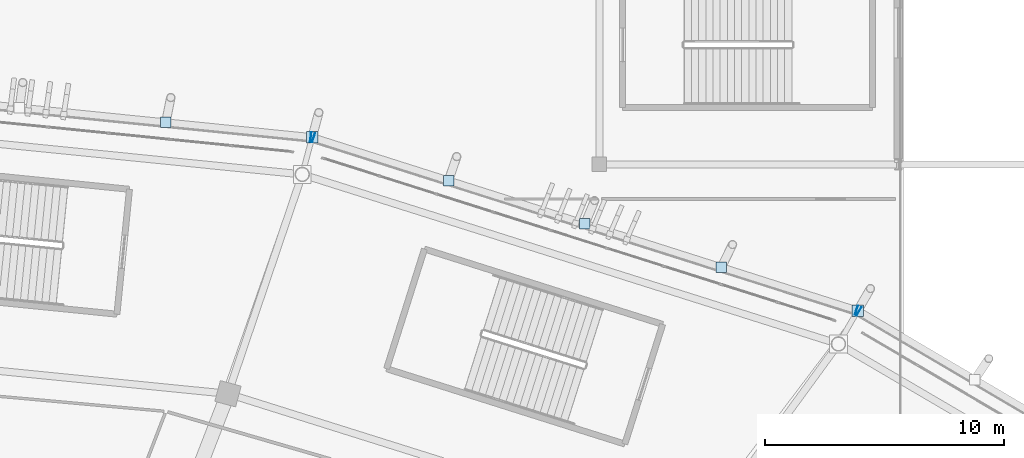
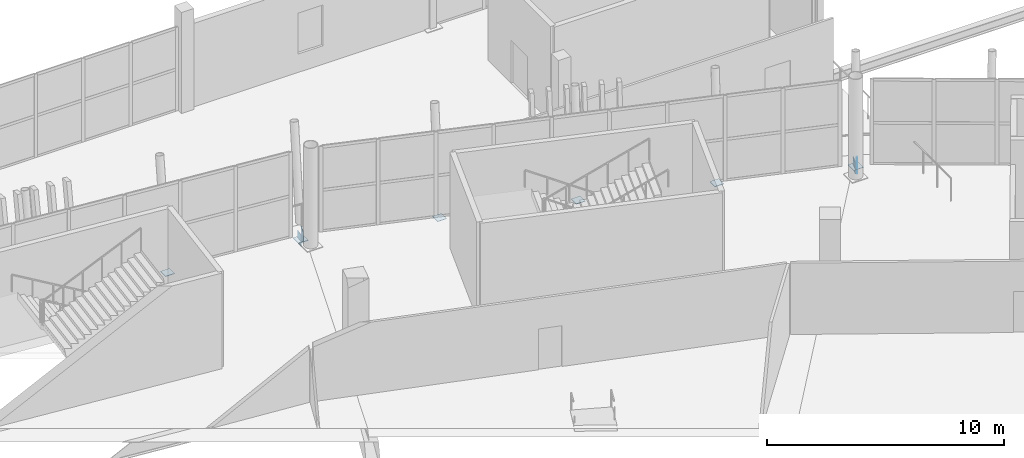
# One storey, part 118 of 178: 10 plates.
"""IFC4 building model written with IfcOpenShell, lengths in metres."""

from ifc_helpers import new_model, si_unit, direction, frame, origin, origin_2d, place, context, subcontext, project, spatial, rectangle, extrude, material, layer, layer_set, type_object, element, save


model = new_model("IFC4")

# Units and contexts
model_context = context("Model", 3, precision=1e-05, world=origin(), true_north=direction((0.0, 1.0)))
body_context = subcontext(model_context, "Body", "Model", "MODEL_VIEW")
ifc_project = project(units=[si_unit("LENGTHUNIT", "METRE"), si_unit("AREAUNIT", "SQUARE_METRE"), si_unit("VOLUMEUNIT", "CUBIC_METRE"), si_unit("PLANEANGLEUNIT", "RADIAN"), si_unit("MASSUNIT", "GRAM", prefix="KILO")], contexts=[model_context])

# Site, building, storey
site_placement = place(None, origin())
site = spatial("IfcSite", under=ifc_project, at=site_placement, CompositionType="ELEMENT")
building_placement = place(site_placement, origin())
building = spatial("IfcBuilding", under=site, at=building_placement, Name="Zlatoyarsky Gate Stadium", CompositionType="ELEMENT")
storey_placement = place(building_placement, frame((0.0, 0.0, 5.39990234375)))
storey = spatial("IfcBuildingStorey", under=building, at=storey_placement, Name="L01", CompositionType="ELEMENT", Elevation=5.39990234375)

# Plates
ifc_material = material(Name="Steel S355", Category="steel")
ifc_layer = layer(ifc_material, 0.02392578125)
ifc_layer_set = layer_set([ifc_layer], Name="Steel S355")
plate_type = type_object("IfcPlateType", Name="STEEL HOLLOW CHORD SPLICE SHEET 24", PredefinedType="SHEET", material=ifc_layer_set)
for number, where, z_axis, x_axis, name in (
    (1, (158.35595703125, 142.850341796875, -0.849853515625), (0.0, 0.0, 1.0), (-0.861685850781, 0.50744210957, 0.0), "Hollow end cap ND-SP1 CAP-L01-SPD-03 B"),
    (2, (158.2470703125, 142.89892578125, -0.849853515625), (0.0, 0.0, 1.0), (-0.953005501853, 0.302952988826, 0.0), "Hollow end cap ND-SP1 CAP-L01-SPD-04 A"),
    (3, (135.543701171875, 150.1162109375, -0.849853515625), (0.0, 0.0, 1.0), (-0.953005501853, 0.302952988826, 0.0), "Hollow end cap ND-SP1 CAP-L01-SPD-04 B"),
):
    element("IfcPlate", number, at=place(storey_placement, frame(where, z_axis=z_axis, x_axis=x_axis)), inside=storey, type_object=plate_type, Name=name, PredefinedType="SHEET", context=body_context, shape_type="SweptSolid", body=[
        extrude(rectangle(XDim=0.02392578125, YDim=0.39990234375, at=origin_2d()), origin(), (0.0, 0.0, 1.0), 0.60009765625),
    ])
plate_1_placement = place(storey_placement, frame((158.30419921875, 142.880859375, -0.61181640625), z_axis=(0.0, 0.0, 1.0), x_axis=(1.0, 0.0, 0.0)))
element("IfcPlate", 4, at=plate_1_placement, inside=storey, type_object=plate_type, Name="Node closure plate ND-SP1 NCAP-L01-RSTR-04", PredefinedType="SHEET", context=body_context, shape_type="SweptSolid", body=[
    extrude(rectangle(XDim=0.47998046875, YDim=0.47998046875, at=origin_2d()), origin(), (0.0, 0.0, 1.0), 0.02392578125),
])
plate_2_placement = place(storey_placement, frame((135.4267578125, 150.140380859375, -1.010009765625), z_axis=(0.0, 0.0, 1.0), x_axis=(-0.994934278996, 0.100527511058, 0.0)))
element("IfcPlate", 5, at=plate_2_placement, inside=storey, type_object=plate_type, Name="Hollow end cap ND-SP1 CAP-L01-SPD-05 A", PredefinedType="SHEET", context=body_context, shape_type="SweptSolid", body=[
    extrude(rectangle(XDim=0.02392578125, YDim=0.39990234375, at=origin_2d()), origin(), (0.0, 0.0, 1.0), 0.60009765625),
])
plate_3_placement = place(storey_placement, frame((135.486572265625, 150.134521484375, -0.77197265625), z_axis=(0.0, 0.0, 1.0), x_axis=(1.0, 0.0, 0.0)))
element("IfcPlate", 6, at=plate_3_placement, inside=storey, type_object=plate_type, Name="Node closure plate ND-SP1 NCAP-L01-RSTR-05", PredefinedType="SHEET", context=body_context, shape_type="SweptSolid", body=[
    extrude(rectangle(XDim=0.47998046875, YDim=0.47998046875, at=origin_2d()), origin(), (0.0, 0.0, 1.0), 0.02392578125),
])
for number, where, z_axis, x_axis, name in (
    (7, (152.599853515625, 144.694091796875, -0.561767578125), (0.0, 0.0, 1.0), (1.0, 0.0, 0.0), "Node closure plate ND-SP1 NCAP-RIB-04-1-0B"),
    (8, (146.8955078125, 146.507568359375, -0.561767578125), (0.0, 0.0, 1.0), (1.0, 0.0, 0.0), "Node closure plate ND-SP1 NCAP-RIB-04-2-0B"),
    (9, (141.19091796875, 148.321044921875, -0.561767578125), (0.0, 0.0, 1.0), (1.0, 0.0, 0.0), "Node closure plate ND-SP1 NCAP-RIB-04-3-0B"),
    (10, (129.364990234375, 150.7529296875, -0.721923828125), (0.0, 0.0, 1.0), (1.0, 0.0, 0.0), "Node closure plate ND-SP1 NCAP-RIB-05-1-0B"),
):
    element("IfcPlate", number, at=place(storey_placement, frame(where, z_axis=z_axis, x_axis=x_axis)), inside=storey, type_object=plate_type, Name=name, PredefinedType="SHEET", context=body_context, shape_type="SweptSolid", body=[
        extrude(rectangle(XDim=0.43994140625, YDim=0.43994140625, at=origin_2d()), origin(), (0.0, 0.0, 1.0), 0.02392578125),
    ])

save(model, "model.ifc")
